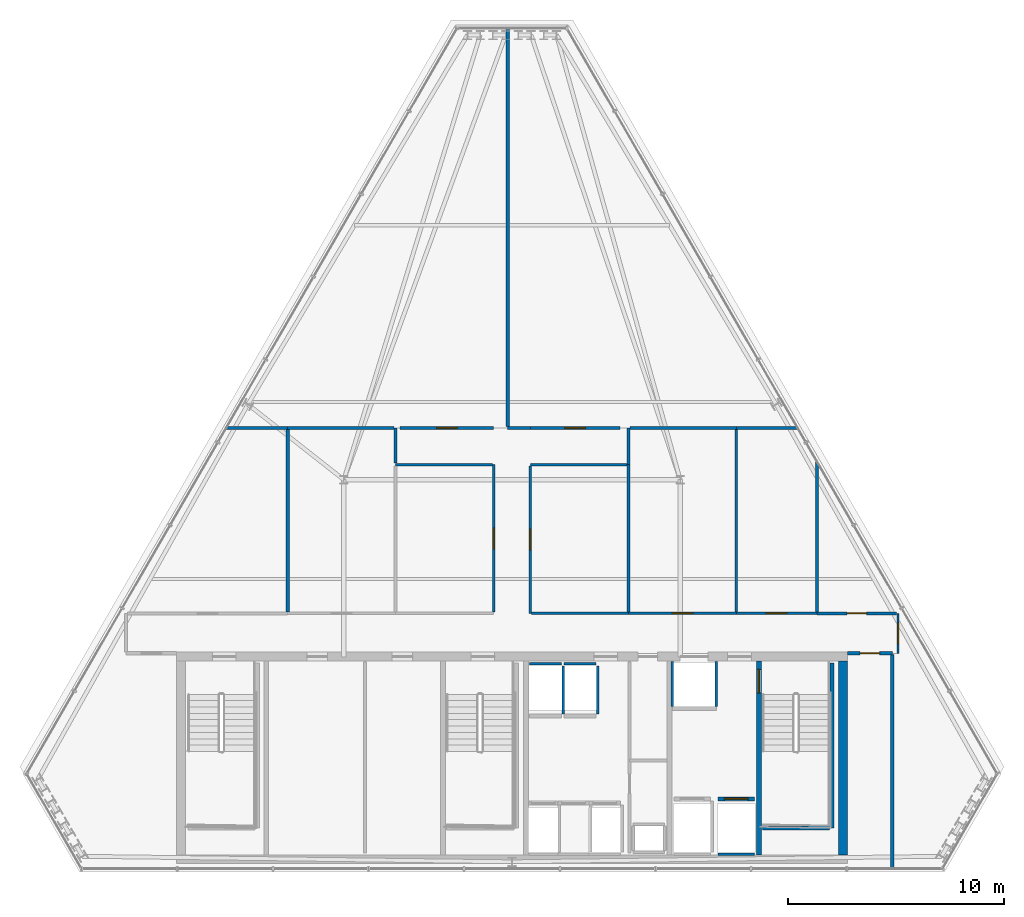
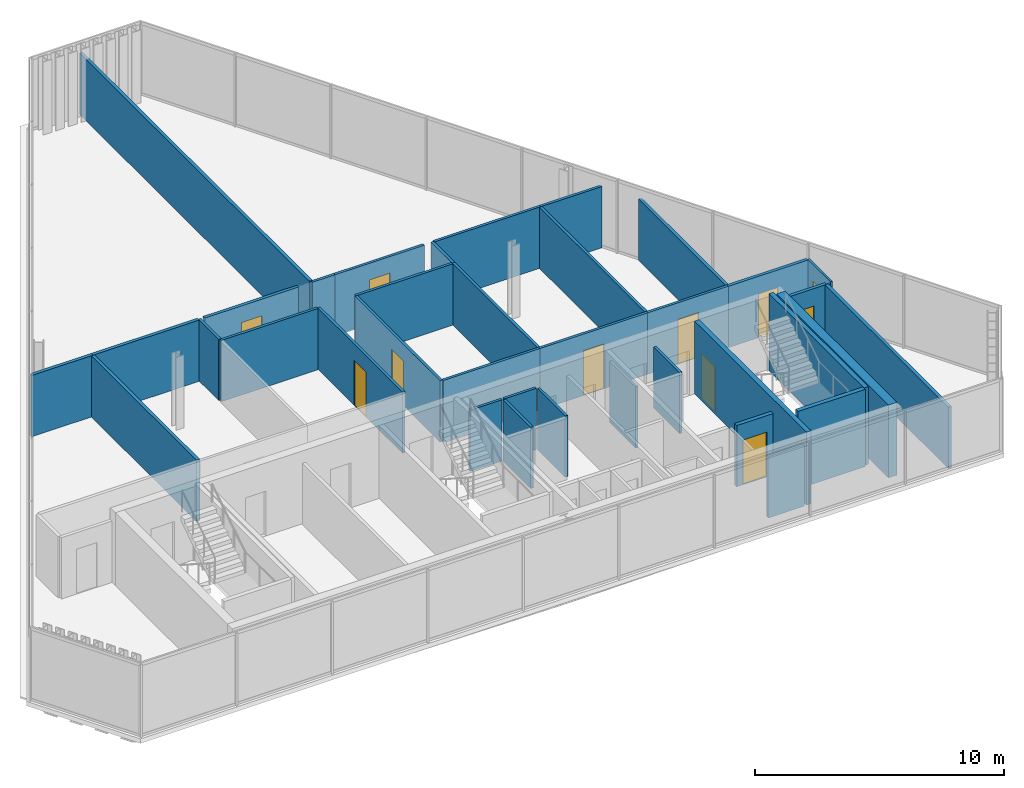
# One storey, part 31 of 35: 37 walls, 11 doors, 11 openings.
"""IFC4 building model written with IfcOpenShell, lengths in metres."""

from ifc_helpers import new_model, si_unit, direction, frame, frame_2d, origin, place, context, subcontext, project, spatial, rectangle, extrude, material, layer, layer_set, type_object, element, fill, save


model = new_model("IFC4")

# Units and contexts
model_context = context("Model", 3, precision=1e-05, world=origin(), true_north=direction((0.0, 1.0)))
body_context = subcontext(model_context, "Body", "Model", "MODEL_VIEW")
ifc_project = project(units=[si_unit("LENGTHUNIT", "METRE"), si_unit("AREAUNIT", "SQUARE_METRE"), si_unit("VOLUMEUNIT", "CUBIC_METRE"), si_unit("PLANEANGLEUNIT", "RADIAN"), si_unit("MASSUNIT", "GRAM", prefix="KILO")], contexts=[model_context])

# Site, building, storey
site_placement = place(None, origin())
site = spatial("IfcSite", under=ifc_project, at=site_placement, CompositionType="ELEMENT")
building_placement = place(site_placement, origin())
building = spatial("IfcBuilding", under=site, at=building_placement, Name="Ndaravel Arena Tower", CompositionType="ELEMENT")
storey_placement = place(building_placement, frame((0.0, 0.0, 271.199951171875)))
storey = spatial("IfcBuildingStorey", under=building, at=storey_placement, Name="L66", CompositionType="ELEMENT", Elevation=271.199951171875)

# Wall, opening, door
ifc_material_1 = material(Name="Concrete C50/60", Category="concrete")
ifc_layer_1 = layer(ifc_material_1, 0.219970703125)
ifc_layer_set_1 = layer_set([ifc_layer_1], Name="Concrete C50/60")
wall_type_1 = type_object("IfcWallType", Name="WALL-CORE-220", PredefinedType="SOLIDWALL", material=ifc_layer_set_1)
wall_1_placement = place(storey_placement, frame((53.449951171875, 5.800048828125, 0.0), z_axis=(0.0, 0.0, 1.0), x_axis=(0.0, 1.0, 0.0)))
wall_1 = element("IfcWall", 1, at=wall_1_placement, inside=storey, type_object=wall_type_1, Name="L66 Core Web Shear Wall 5", PredefinedType="SOLIDWALL", context=body_context, shape_type="SweptSolid", body=[
    extrude(rectangle(XDim=9.0, YDim=0.219970703125, at=frame_2d((4.5, 0.0))), origin(), (0.0, 0.0, 1.0), 3.580078125),
])
opening_1_placement = place(wall_1_placement, frame((7.5, 0.0, 0.0)))
opening_1 = element("IfcOpeningElement", 2, at=opening_1_placement, cuts=wall_1, Name="Opening FD-01", PredefinedType="OPENING", context=body_context, shape_type="SweptSolid", body=[
    extrude(rectangle(XDim=1.10009765625, YDim=2.199951171875, at=frame_2d((0.550048828125, 1.10009765625))), frame((0.0, 0.10986328125, 0.0), z_axis=(0.0, -1.0, 0.0), x_axis=(1.0, 0.0, 0.0)), (0.0, 0.0, 1.0), 0.219970703125),
])
ifc_material_2 = material(Name="Steel S355", Category="steel")
door_type_1 = type_object("IfcDoorType", Name="DT-01-STAIR-1100", OperationType="SINGLE_SWING_LEFT", PredefinedType="DOOR", material=ifc_material_2)
door_1_placement = place(opening_1_placement, origin())
door_1 = element("IfcDoor", 3, at=door_1_placement, inside=storey, type_object=door_type_1, Name="L66 Firefighting Lobby to ST-3 Door", OperationType="SINGLE_SWING_LEFT", OverallHeight=2.199951171875, OverallWidth=1.10009765625, PredefinedType="DOOR", context=body_context, shape_type="SweptSolid", body=[
    extrude(rectangle(XDim=1.10009765625, YDim=2.199951171875, at=frame_2d((0.550048828125, 1.10009765625))), frame((0.0, 0.02490234375, 0.0), z_axis=(0.0, -1.0, 0.0), x_axis=(1.0, 0.0, 0.0)), (0.0, 0.0, 1.0), 0.050048828125),
])
fill(opening_1, door_1)

# Wall
ifc_material_3 = material(Name="Concrete C50/60", Category="concrete")
ifc_layer_2 = layer(ifc_material_3, 0.39990234375)
ifc_layer_set_2 = layer_set([ifc_layer_2], Name="Concrete C50/60")
wall_type_2 = type_object("IfcWallType", Name="WALL-CORE-400", PredefinedType="SOLIDWALL", material=ifc_layer_set_2)
wall_2_placement = place(storey_placement, frame((57.35009765625, 5.800048828125, 0.0), z_axis=(0.0, 0.0, 1.0), x_axis=(0.0, 1.0, 0.0)))
element("IfcWall", 4, at=wall_2_placement, inside=storey, type_object=wall_type_2, Name="L66 Core East Shear Wall", PredefinedType="SOLIDWALL", context=body_context, shape_type="SweptSolid", body=[
    extrude(rectangle(XDim=9.0, YDim=0.39990234375, at=frame_2d((4.5, 0.0))), origin(), (0.0, 0.0, 1.0), 3.580078125),
])

# Wall, opening, door
ifc_material_4 = material(Name="Timber", Category="wood")
ifc_layer_3 = layer(ifc_material_4, 0.10009765625)
ifc_layer_set_3 = layer_set([ifc_layer_3], Name="Timber")
wall_type_3 = type_object("IfcWallType", Name="WALL-MOVABLE-100", PredefinedType="MOVABLE", material=ifc_layer_set_3)
wall_3_placement = place(storey_placement, frame((59.903076171875, 17.0, 0.0), z_axis=(0.0, 0.0, 1.0), x_axis=(0.0, -1.0, 0.0)))
wall_3 = element("IfcWall", 5, at=wall_3_placement, inside=storey, type_object=wall_type_3, Name="L66 Interior Partition 001", PredefinedType="MOVABLE", context=body_context, shape_type="SweptSolid", body=[
    extrude(rectangle(XDim=1.85009765625, YDim=0.10009765625, at=frame_2d((0.925048828125, 0.0))), origin(), (0.0, 0.0, 1.0), 3.010498046875),
])
opening_2_placement = place(wall_3_placement, frame((0.449951171875, 0.0, 0.0)))
opening_2 = element("IfcOpeningElement", 6, at=opening_2_placement, cuts=wall_3, Name="Opening ID-01", PredefinedType="OPENING", context=body_context, shape_type="SweptSolid", body=[
    extrude(rectangle(XDim=0.949951171875, YDim=2.199951171875, at=frame_2d((0.47509765625, 1.10009765625))), frame((0.0, 0.050048828125, 0.0), z_axis=(0.0, -1.0, 0.0), x_axis=(1.0, 0.0, 0.0)), (0.0, 0.0, 1.0), 0.10009765625),
])
ifc_material_5 = material(Name="Timber", Category="wood")
door_type_2 = type_object("IfcDoorType", Name="DT-03-OFFICE-950", OperationType="SINGLE_SWING_LEFT", PredefinedType="DOOR", material=ifc_material_5)
door_2_placement = place(opening_2_placement, origin())
door_2 = element("IfcDoor", 7, at=door_2_placement, inside=storey, type_object=door_type_2, Name="L66 Design Bookshop Boutique Door", OperationType="SINGLE_SWING_LEFT", OverallHeight=2.199951171875, OverallWidth=0.949951171875, PredefinedType="DOOR", context=body_context, shape_type="SweptSolid", body=[
    extrude(rectangle(XDim=0.949951171875, YDim=2.199951171875, at=frame_2d((0.47509765625, 1.10009765625))), frame((0.0, 0.02490234375, 0.0), z_axis=(0.0, -1.0, 0.0), x_axis=(1.0, 0.0, 0.0)), (0.0, 0.0, 1.0), 0.050048828125),
])
fill(opening_2, door_2)

ifc_material_6 = material(Name="Gypsum", Category="gypsum")
ifc_layer_4 = layer(ifc_material_6, 0.125)
ifc_layer_set_4 = layer_set([ifc_layer_4], Name="Gypsum")
wall_type_4 = type_object("IfcWallType", Name="WALL-PART-125", PredefinedType="PARTITIONING", material=ifc_layer_set_4)
wall_4_placement = place(storey_placement, frame((41.14990234375, 17.06494140625, 0.0), z_axis=(0.0, 0.0, 1.0), x_axis=(0.0, 1.0, 0.0)))
wall_4 = element("IfcWall", 8, at=wall_4_placement, inside=storey, type_object=wall_type_4, Name="L66 Interior Partition 008", PredefinedType="PARTITIONING", context=body_context, shape_type="SweptSolid", body=[
    extrude(rectangle(XDim=6.8349609375, YDim=0.125, at=frame_2d((3.41748046875, 0.0))), origin(), (0.0, 0.0, 1.0), 3.010498046875),
])
opening_3_placement = place(wall_4_placement, frame((2.9423828125, 0.0, 0.0)))
opening_3 = element("IfcOpeningElement", 9, at=opening_3_placement, cuts=wall_4, Name="Opening ID-01", PredefinedType="OPENING", context=body_context, shape_type="SweptSolid", body=[
    extrude(rectangle(XDim=0.949951171875, YDim=2.199951171875, at=frame_2d((0.47509765625, 1.10009765625))), frame((0.0, 0.0625, 0.0), z_axis=(0.0, -1.0, 0.0), x_axis=(1.0, 0.0, 0.0)), (0.0, 0.0, 1.0), 0.125),
])
door_3_placement = place(opening_3_placement, origin())
door_3 = element("IfcDoor", 10, at=door_3_placement, inside=storey, type_object=door_type_2, Name="L66 Quiet Reading Library Door", OperationType="SINGLE_SWING_LEFT", OverallHeight=2.199951171875, OverallWidth=0.949951171875, PredefinedType="DOOR", context=body_context, shape_type="SweptSolid", body=[
    extrude(rectangle(XDim=0.949951171875, YDim=2.199951171875, at=frame_2d((0.47509765625, 1.10009765625))), frame((0.0, 0.02490234375, 0.0), z_axis=(0.0, -1.0, 0.0), x_axis=(1.0, 0.0, 0.0)), (0.0, 0.0, 1.0), 0.050048828125),
])
fill(opening_3, door_3)

# Walls
wall_5_placement = place(storey_placement, frame((41.0849609375, 23.89990234375, 0.0), z_axis=(0.0, 0.0, 1.0), x_axis=(-1.0, 0.0, 0.0)))
element("IfcWall", 11, at=wall_5_placement, inside=storey, type_object=wall_type_4, Name="L66 Interior Partition 009", PredefinedType="PARTITIONING", context=body_context, shape_type="SweptSolid", body=[
    extrude(rectangle(XDim=4.48486328125, YDim=0.125, at=frame_2d((2.242431640625, 0.0))), origin(), (0.0, 0.0, 1.0), 3.010498046875),
])
wall_6_placement = place(storey_placement, frame((36.60009765625, 23.965087890625, 0.0), z_axis=(0.0, 0.0, 1.0), x_axis=(0.0, 1.0, 0.0)))
element("IfcWall", 12, at=wall_6_placement, inside=storey, type_object=wall_type_4, Name="L66 Interior Partition 010", PredefinedType="PARTITIONING", context=body_context, shape_type="SweptSolid", body=[
    extrude(rectangle(XDim=1.635009765625, YDim=0.125, at=frame_2d((0.8173828125, 0.0))), origin(), (0.0, 0.0, 1.0), 3.010498046875),
])
wall_7_placement = place(storey_placement, frame((41.800048828125, 25.60009765625, 0.0), z_axis=(0.0, 0.0, 1.0), x_axis=(1.0, 0.0, 0.0)))
element("IfcWall", 13, at=wall_7_placement, inside=storey, type_object=wall_type_4, Name="L66 Interior Partition 012", PredefinedType="PARTITIONING", context=body_context, shape_type="SweptSolid", body=[
    extrude(rectangle(XDim=1.050048828125, YDim=0.125, at=frame_2d((0.52490234375, 0.0))), origin(), (0.0, 0.0, 1.0), 3.010498046875),
])

# Wall, opening, door
wall_8_placement = place(storey_placement, frame((42.85009765625, 25.60009765625, 0.0), z_axis=(0.0, 0.0, 1.0), x_axis=(1.0, 0.0, 0.0)))
wall_8 = element("IfcWall", 14, at=wall_8_placement, inside=storey, type_object=wall_type_4, Name="L66 Interior Partition 013", PredefinedType="PARTITIONING", context=body_context, shape_type="SweptSolid", body=[
    extrude(rectangle(XDim=4.14990234375, YDim=0.125, at=frame_2d((2.074951171875, 0.0))), origin(), (0.0, 0.0, 1.0), 3.010498046875),
])
opening_4_placement = place(wall_8_placement, frame((1.60009765625, 0.0, 0.0)))
opening_4 = element("IfcOpeningElement", 15, at=opening_4_placement, cuts=wall_8, Name="Opening ID-01", PredefinedType="OPENING", context=body_context, shape_type="SweptSolid", body=[
    extrude(rectangle(XDim=0.949951171875, YDim=2.199951171875, at=frame_2d((0.47509765625, 1.10009765625))), frame((0.0, 0.0625, 0.0), z_axis=(0.0, -1.0, 0.0), x_axis=(1.0, 0.0, 0.0)), (0.0, 0.0, 1.0), 0.125),
])
door_4_placement = place(opening_4_placement, origin())
door_4 = element("IfcDoor", 16, at=door_4_placement, inside=storey, type_object=door_type_2, Name="L66 Publication Shop 4 Door", OperationType="SINGLE_SWING_RIGHT", OverallHeight=2.199951171875, OverallWidth=0.949951171875, PredefinedType="DOOR", context=body_context, shape_type="SweptSolid", body=[
    extrude(rectangle(XDim=0.949951171875, YDim=2.199951171875, at=frame_2d((0.47509765625, 1.10009765625))), frame((0.0, 0.02490234375, 0.0), z_axis=(0.0, -1.0, 0.0), x_axis=(1.0, 0.0, 0.0)), (0.0, 0.0, 1.0), 0.050048828125),
])
fill(opening_4, door_4)

# Walls
wall_9_placement = place(storey_placement, frame((47.39990234375, 25.60009765625, 0.0), z_axis=(0.0, 0.0, 1.0), x_axis=(0.0, -1.0, 0.0)))
element("IfcWall", 17, at=wall_9_placement, inside=storey, type_object=wall_type_4, Name="L66 Interior Partition 014", PredefinedType="PARTITIONING", context=body_context, shape_type="SweptSolid", body=[
    extrude(rectangle(XDim=1.7001953125, YDim=0.125, at=frame_2d((0.85009765625, 0.0))), origin(), (0.0, 0.0, 1.0), 3.010498046875),
])
wall_10_placement = place(storey_placement, frame((47.3349609375, 23.89990234375, 0.0), z_axis=(0.0, 0.0, 1.0), x_axis=(-1.0, 0.0, 0.0)))
element("IfcWall", 18, at=wall_10_placement, inside=storey, type_object=wall_type_4, Name="L66 Interior Partition 015", PredefinedType="PARTITIONING", context=body_context, shape_type="SweptSolid", body=[
    extrude(rectangle(XDim=4.48486328125, YDim=0.125, at=frame_2d((2.242431640625, 0.0))), origin(), (0.0, 0.0, 1.0), 3.010498046875),
])

# Wall, opening, door
wall_11_placement = place(storey_placement, frame((42.85009765625, 23.8349609375, 0.0), z_axis=(0.0, 0.0, 1.0), x_axis=(0.0, -1.0, 0.0)))
wall_11 = element("IfcWall", 19, at=wall_11_placement, inside=storey, type_object=wall_type_4, Name="L66 Interior Partition 016", PredefinedType="PARTITIONING", context=body_context, shape_type="SweptSolid", body=[
    extrude(rectangle(XDim=6.8349609375, YDim=0.125, at=frame_2d((3.41748046875, 0.0))), origin(), (0.0, 0.0, 1.0), 3.010498046875),
])
opening_5_placement = place(wall_11_placement, frame((2.9423828125, 0.0, 0.0)))
opening_5 = element("IfcOpeningElement", 20, at=opening_5_placement, cuts=wall_11, Name="Opening ID-01", PredefinedType="OPENING", context=body_context, shape_type="SweptSolid", body=[
    extrude(rectangle(XDim=0.949951171875, YDim=2.199951171875, at=frame_2d((0.47509765625, 1.10009765625))), frame((0.0, 0.0625, 0.0), z_axis=(0.0, -1.0, 0.0), x_axis=(1.0, 0.0, 0.0)), (0.0, 0.0, 1.0), 0.125),
])
door_5_placement = place(opening_5_placement, origin())
door_5 = element("IfcDoor", 21, at=door_5_placement, inside=storey, type_object=door_type_2, Name="L66 Floor Security Control Room Door", OperationType="SINGLE_SWING_RIGHT", OverallHeight=2.199951171875, OverallWidth=0.949951171875, PredefinedType="DOOR", context=body_context, shape_type="SweptSolid", body=[
    extrude(rectangle(XDim=0.949951171875, YDim=2.199951171875, at=frame_2d((0.47509765625, 1.10009765625))), frame((0.0, 0.02490234375, 0.0), z_axis=(0.0, -1.0, 0.0), x_axis=(1.0, 0.0, 0.0)), (0.0, 0.0, 1.0), 0.050048828125),
])
fill(opening_5, door_5)

# Wall
wall_12_placement = place(storey_placement, frame((42.9150390625, 17.0, 0.0), z_axis=(0.0, 0.0, 1.0), x_axis=(1.0, 0.0, 0.0)))
element("IfcWall", 22, at=wall_12_placement, inside=storey, type_object=wall_type_4, Name="L66 Interior Partition 017", PredefinedType="PARTITIONING", context=body_context, shape_type="SweptSolid", body=[
    extrude(rectangle(XDim=4.48486328125, YDim=0.125, at=frame_2d((2.242431640625, 0.0))), origin(), (0.0, 0.0, 1.0), 3.010498046875),
])

# Wall, opening, door
wall_13_placement = place(storey_placement, frame((47.39990234375, 17.0, 0.0), z_axis=(0.0, 0.0, 1.0), x_axis=(1.0, 0.0, 0.0)))
wall_13 = element("IfcWall", 23, at=wall_13_placement, inside=storey, type_object=wall_type_4, Name="L66 Interior Partition 018", PredefinedType="PARTITIONING", context=body_context, shape_type="SweptSolid", body=[
    extrude(rectangle(XDim=5.0, YDim=0.125, at=frame_2d((2.5, 0.0))), origin(), (0.0, 0.0, 1.0), 3.010498046875),
])
opening_6_placement = place(wall_13_placement, frame((2.02490234375, 0.0, 0.0)))
opening_6 = element("IfcOpeningElement", 24, at=opening_6_placement, cuts=wall_13, Name="Opening ID-01", PredefinedType="OPENING", context=body_context, shape_type="SweptSolid", body=[
    extrude(rectangle(XDim=0.949951171875, YDim=2.199951171875, at=frame_2d((0.47509765625, 1.10009765625))), frame((0.0, 0.0625, 0.0), z_axis=(0.0, -1.0, 0.0), x_axis=(1.0, 0.0, 0.0)), (0.0, 0.0, 1.0), 0.125),
])
door_6_placement = place(opening_6_placement, origin())
door_6 = element("IfcDoor", 25, at=door_6_placement, inside=storey, type_object=door_type_2, Name="L66 Innovation Showroom 3 Door", OperationType="SINGLE_SWING_RIGHT", OverallHeight=2.199951171875, OverallWidth=0.949951171875, PredefinedType="DOOR", context=body_context, shape_type="SweptSolid", body=[
    extrude(rectangle(XDim=0.949951171875, YDim=2.199951171875, at=frame_2d((0.47509765625, 1.10009765625))), frame((0.0, 0.02490234375, 0.0), z_axis=(0.0, -1.0, 0.0), x_axis=(1.0, 0.0, 0.0)), (0.0, 0.0, 1.0), 0.050048828125),
])
fill(opening_6, door_6)

wall_14_placement = place(storey_placement, frame((52.39990234375, 17.0, 0.0), z_axis=(0.0, 0.0, 1.0), x_axis=(1.0, 0.0, 0.0)))
wall_14 = element("IfcWall", 26, at=wall_14_placement, inside=storey, type_object=wall_type_4, Name="L66 Interior Partition 019", PredefinedType="PARTITIONING", context=body_context, shape_type="SweptSolid", body=[
    extrude(rectangle(XDim=3.750244140625, YDim=0.125, at=frame_2d((1.875, 0.0))), origin(), (0.0, 0.0, 1.0), 3.010498046875),
])
opening_7_placement = place(wall_14_placement, frame((1.400146484375, 0.0, 0.0)))
opening_7 = element("IfcOpeningElement", 27, at=opening_7_placement, cuts=wall_14, Name="Opening ID-01", PredefinedType="OPENING", context=body_context, shape_type="SweptSolid", body=[
    extrude(rectangle(XDim=0.949951171875, YDim=2.199951171875, at=frame_2d((0.47509765625, 1.10009765625))), frame((0.0, 0.0625, 0.0), z_axis=(0.0, -1.0, 0.0), x_axis=(1.0, 0.0, 0.0)), (0.0, 0.0, 1.0), 0.125),
])
door_7_placement = place(opening_7_placement, origin())
door_7 = element("IfcDoor", 28, at=door_7_placement, inside=storey, type_object=door_type_2, Name="L66 Barista Galley 3 Door", OperationType="SINGLE_SWING_RIGHT", OverallHeight=2.199951171875, OverallWidth=0.949951171875, PredefinedType="DOOR", context=body_context, shape_type="SweptSolid", body=[
    extrude(rectangle(XDim=0.949951171875, YDim=2.199951171875, at=frame_2d((0.47509765625, 1.10009765625))), frame((0.0, 0.02490234375, 0.0), z_axis=(0.0, -1.0, 0.0), x_axis=(1.0, 0.0, 0.0)), (0.0, 0.0, 1.0), 0.050048828125),
])
fill(opening_7, door_7)

# Walls
wall_15_placement = place(storey_placement, frame((47.39990234375, 23.89990234375, 0.0), z_axis=(0.0, 0.0, 1.0), x_axis=(0.0, -1.0, 0.0)))
element("IfcWall", 29, at=wall_15_placement, inside=storey, type_object=wall_type_4, Name="L66 Interior Partition 024", PredefinedType="PARTITIONING", context=body_context, shape_type="SweptSolid", body=[
    extrude(rectangle(XDim=6.8349609375, YDim=0.125, at=frame_2d((3.41748046875, 0.0))), origin(), (0.0, 0.0, 1.0), 3.010498046875),
])
wall_16_placement = place(storey_placement, frame((52.39990234375, 25.60009765625, 0.0), z_axis=(0.0, 0.0, 1.0), x_axis=(1.0, 0.0, 0.0)))
element("IfcWall", 30, at=wall_16_placement, inside=storey, type_object=wall_type_4, Name="L66 Interior Partition 027", PredefinedType="PARTITIONING", context=body_context, shape_type="SweptSolid", body=[
    extrude(rectangle(XDim=2.847900390625, YDim=0.125, at=frame_2d((1.423828125, 0.0))), origin(), (0.0, 0.0, 1.0), 3.010498046875),
])
wall_17_placement = place(storey_placement, frame((52.39990234375, 17.06494140625, 0.0), z_axis=(0.0, 0.0, 1.0), x_axis=(0.0, 1.0, 0.0)))
element("IfcWall", 31, at=wall_17_placement, inside=storey, type_object=wall_type_4, Name="L66 Interior Partition 028", PredefinedType="PARTITIONING", context=body_context, shape_type="SweptSolid", body=[
    extrude(rectangle(XDim=8.469970703125, YDim=0.125, at=frame_2d((4.23486328125, 0.0))), origin(), (0.0, 0.0, 1.0), 3.010498046875),
])
wall_18_placement = place(storey_placement, frame((47.465087890625, 25.60009765625, 0.0), z_axis=(0.0, 0.0, 1.0), x_axis=(1.0, 0.0, 0.0)))
element("IfcWall", 32, at=wall_18_placement, inside=storey, type_object=wall_type_4, Name="L66 Interior Partition 030", PredefinedType="PARTITIONING", context=body_context, shape_type="SweptSolid", body=[
    extrude(rectangle(XDim=4.934814453125, YDim=0.125, at=frame_2d((2.46728515625, 0.0))), origin(), (0.0, 0.0, 1.0), 3.010498046875),
])
ifc_material_7 = material(Name="Concrete C40/50", Category="concrete")
ifc_layer_5 = layer(ifc_material_7, 0.1201171875)
ifc_layer_set_5 = layer_set([ifc_layer_5], Name="Concrete C40/50")
wall_type_5 = type_object("IfcWallType", Name="WALL-SHAFT-120", PredefinedType="SOLIDWALL", material=ifc_layer_set_5)
wall_19_placement = place(storey_placement, frame((42.804931640625, 14.659912109375, 0.0), z_axis=(0.0, 0.0, 1.0), x_axis=(1.0, 0.0, 0.0)))
element("IfcWall", 33, at=wall_19_placement, inside=storey, type_object=wall_type_5, Name="L66 PL-OBS1 Shaft Rear Wall", PredefinedType="SOLIDWALL", context=body_context, shape_type="SweptSolid", body=[
    extrude(rectangle(XDim=1.489990234375, YDim=0.1201171875, at=frame_2d((0.7451171875, 0.0))), origin(), (0.0, 0.0, 1.0), 3.010498046875),
])
wall_20_placement = place(storey_placement, frame((44.375, 12.340087890625, 0.0), z_axis=(0.0, 0.0, 1.0), x_axis=(0.0, 1.0, 0.0)))
element("IfcWall", 34, at=wall_20_placement, inside=storey, type_object=wall_type_5, Name="L66 PL-OBS1 Shaft Side R Wall", PredefinedType="SOLIDWALL", context=body_context, shape_type="SweptSolid", body=[
    extrude(rectangle(XDim=2.22998046875, YDim=0.1201171875, at=frame_2d((1.114990234375, 0.0))), origin(), (0.0, 0.0, 1.0), 3.010498046875),
])
wall_21_placement = place(storey_placement, frame((44.405029296875, 14.659912109375, 0.0), z_axis=(0.0, 0.0, 1.0), x_axis=(1.0, 0.0, 0.0)))
element("IfcWall", 35, at=wall_21_placement, inside=storey, type_object=wall_type_5, Name="L66 PL-OBS2 Shaft Rear Wall", PredefinedType="SOLIDWALL", context=body_context, shape_type="SweptSolid", body=[
    extrude(rectangle(XDim=1.489990234375, YDim=0.1201171875, at=frame_2d((0.7451171875, 0.0))), origin(), (0.0, 0.0, 1.0), 3.010498046875),
])
wall_22_placement = place(storey_placement, frame((45.97509765625, 12.340087890625, 0.0), z_axis=(0.0, 0.0, 1.0), x_axis=(0.0, 1.0, 0.0)))
element("IfcWall", 36, at=wall_22_placement, inside=storey, type_object=wall_type_5, Name="L66 PL-OBS2 Shaft Side R Wall", PredefinedType="SOLIDWALL", context=body_context, shape_type="SweptSolid", body=[
    extrude(rectangle(XDim=2.22998046875, YDim=0.1201171875, at=frame_2d((1.114990234375, 0.0))), origin(), (0.0, 0.0, 1.0), 3.010498046875),
])
wall_23_placement = place(storey_placement, frame((51.554931640625, 5.840087890625, 0.0), z_axis=(0.0, 0.0, 1.0), x_axis=(1.0, 0.0, 0.0)))
element("IfcWall", 37, at=wall_23_placement, inside=storey, type_object=wall_type_5, Name="L66 FFL-2 Shaft Rear Wall", PredefinedType="SOLIDWALL", context=body_context, shape_type="SweptSolid", body=[
    extrude(rectangle(XDim=1.690185546875, YDim=0.1201171875, at=frame_2d((0.84521484375, 0.0))), origin(), (0.0, 0.0, 1.0), 3.010498046875),
])
for number, where, z_axis, x_axis, name in (
    (38, (49.43994140625, 12.68994140625, 0.0), (0.0, 0.0, 1.0), (0.0, 1.0, 0.0), "L66 SVL-1 Shaft W Wall"),
    (39, (51.47998046875, 12.68994140625, 0.0), (0.0, 0.0, 1.0), (0.0, 1.0, 0.0), "L66 SVL-1 Shaft E Wall"),
):
    element("IfcWall", number, at=place(storey_placement, frame(where, z_axis=z_axis, x_axis=x_axis)), inside=storey, type_object=wall_type_5, Name=name, PredefinedType="SOLIDWALL", context=body_context, shape_type="SweptSolid", body=[
        extrude(rectangle(XDim=2.070068359375, YDim=0.1201171875, at=frame_2d((1.03515625, 0.0))), origin(), (0.0, 0.0, 1.0), 3.010498046875),
    ])
ifc_material_8 = material(Name="Concrete C40/50", Category="concrete")
ifc_layer_6 = layer(ifc_material_8, 0.199951171875)
ifc_layer_set_6 = layer_set([ifc_layer_6], Name="Concrete C40/50")
wall_type_6 = type_object("IfcWallType", Name="WALL-SHAFT-200", PredefinedType="SOLIDWALL", material=ifc_layer_set_6)
wall_24_placement = place(storey_placement, frame((56.840087890625, 14.699951171875, 0.0), z_axis=(0.0, 0.0, 1.0), x_axis=(0.0, -1.0, 0.0)))
element("IfcWall", 40, at=wall_24_placement, inside=storey, type_object=wall_type_6, Name="L66 ST-3 Structural Shaft Wall Right", PredefinedType="SOLIDWALL", context=body_context, shape_type="SweptSolid", body=[
    extrude(rectangle(XDim=7.64990234375, YDim=0.199951171875, at=frame_2d((3.824951171875, 0.0))), origin(), (0.0, 0.0, 1.0), 3.800048828125),
])
wall_25_placement = place(storey_placement, frame((53.6201171875, 7.050048828125, 0.0), z_axis=(0.0, 0.0, 1.0), x_axis=(1.0, 0.0, 0.0)))
element("IfcWall", 41, at=wall_25_placement, inside=storey, type_object=wall_type_6, Name="L66 ST-3 Structural Shaft Wall Far", PredefinedType="SOLIDWALL", context=body_context, shape_type="SweptSolid", body=[
    extrude(rectangle(XDim=3.114990234375, YDim=0.199951171875, at=frame_2d((1.5576171875, 0.0))), origin(), (0.0, 0.0, 1.0), 3.800048828125),
])

# Wall, opening, door
wall_26_placement = place(storey_placement, frame((51.554931640625, 8.39990234375, 0.0), z_axis=(0.0, 0.0, 1.0), x_axis=(1.0, 0.0, 0.0)))
wall_26 = element("IfcWall", 42, at=wall_26_placement, inside=storey, type_object=wall_type_6, Name="L66 FFL-2 Shaft Landing Wall", PredefinedType="SOLIDWALL", context=body_context, shape_type="SweptSolid", body=[
    extrude(rectangle(XDim=1.690185546875, YDim=0.179931640625, at=frame_2d((0.84521484375, 0.0))), origin(), (0.0, 0.0, 1.0), 3.010498046875),
])
opening_8_placement = place(wall_26_placement, frame((0.294921875, 0.0, 0.0)))
opening_8 = element("IfcOpeningElement", 43, at=opening_8_placement, cuts=wall_26, Name="Opening LD-01", PredefinedType="OPENING", context=body_context, shape_type="SweptSolid", body=[
    extrude(rectangle(XDim=1.10009765625, YDim=2.199951171875, at=frame_2d((0.550048828125, 1.10009765625))), frame((0.0, 0.08984375, 0.0), z_axis=(0.0, -1.0, 0.0), x_axis=(1.0, 0.0, 0.0)), (0.0, 0.0, 1.0), 0.179931640625),
])
ifc_material_9 = material(Name="Steel S355", Category="steel")
door_type_3 = type_object("IfcDoorType", Name="DT-06-LIFT-1100", OperationType="SLIDING_TO_LEFT", PredefinedType="DOOR", material=ifc_material_9)
door_8_placement = place(opening_8_placement, origin())
door_8 = element("IfcDoor", 44, at=door_8_placement, inside=storey, type_object=door_type_3, Name="L66 Lift FFL-2 Sliding Landing Door", OperationType="SLIDING_TO_LEFT", OverallHeight=2.199951171875, OverallWidth=1.10009765625, PredefinedType="DOOR", context=body_context, shape_type="SweptSolid", body=[
    extrude(rectangle(XDim=1.10009765625, YDim=2.199951171875, at=frame_2d((0.550048828125, 1.10009765625))), frame((0.0, 0.02490234375, 0.0), z_axis=(0.0, -1.0, 0.0), x_axis=(1.0, 0.0, 0.0)), (0.0, 0.0, 1.0), 0.050048828125),
])
fill(opening_8, door_8)

ifc_material_10 = material(Name="Masonry", Category="masonry")
ifc_layer_7 = layer(ifc_material_10, 0.14990234375)
ifc_layer_set_7 = layer_set([ifc_layer_7], Name="Masonry")
wall_type_7 = type_object("IfcWallType", Name="WALL-WET-150", PredefinedType="PARTITIONING", material=ifc_layer_set_7)
wall_27_placement = place(storey_placement, frame((59.63623046875, 15.14990234375, 0.0), z_axis=(0.0, 0.0, 1.0), x_axis=(-1.0, 0.0, 0.0)))
wall_27 = element("IfcWall", 45, at=wall_27_placement, inside=storey, type_object=wall_type_7, Name="L66 Interior Partition 002", PredefinedType="PARTITIONING", context=body_context, shape_type="SweptSolid", body=[
    extrude(rectangle(XDim=2.086181640625, YDim=0.14990234375, at=frame_2d((1.04296875, 0.0))), origin(), (0.0, 0.0, 1.0), 3.010498046875),
])
opening_9_placement = place(wall_27_placement, frame((0.593017578125, 0.0, 0.0)))
opening_9 = element("IfcOpeningElement", 46, at=opening_9_placement, cuts=wall_27, Name="Opening WD-01", PredefinedType="OPENING", context=body_context, shape_type="SweptSolid", body=[
    extrude(rectangle(XDim=0.89990234375, YDim=2.14990234375, at=frame_2d((0.449951171875, 1.074951171875))), frame((0.0, 0.074951171875, 0.0), z_axis=(0.0, -1.0, 0.0), x_axis=(1.0, 0.0, 0.0)), (0.0, 0.0, 1.0), 0.14990234375),
])
ifc_material_11 = material(Name="Timber", Category="wood")
door_type_4 = type_object("IfcDoorType", Name="DT-05-WC-900", OperationType="SINGLE_SWING_LEFT", PredefinedType="DOOR", material=ifc_material_11)
door_9_placement = place(opening_9_placement, origin())
door_9 = element("IfcDoor", 47, at=door_9_placement, inside=storey, type_object=door_type_4, Name="L66 Male Staff & Visitor Restroom Door", OperationType="SINGLE_SWING_LEFT", OverallHeight=2.14990234375, OverallWidth=0.89990234375, PredefinedType="DOOR", context=body_context, shape_type="SweptSolid", body=[
    extrude(rectangle(XDim=0.89990234375, YDim=2.14990234375, at=frame_2d((0.449951171875, 1.074951171875))), frame((0.0, 0.02490234375, 0.0), z_axis=(0.0, -1.0, 0.0), x_axis=(1.0, 0.0, 0.0)), (0.0, 0.0, 1.0), 0.050048828125),
])
fill(opening_9, door_9)

wall_28_placement = place(storey_placement, frame((36.800048828125, 25.60009765625, 0.0), z_axis=(0.0, 0.0, 1.0), x_axis=(1.0, 0.0, 0.0)))
wall_28 = element("IfcWall", 48, at=wall_28_placement, inside=storey, type_object=wall_type_7, Name="L66 Interior Partition 011", PredefinedType="PARTITIONING", context=body_context, shape_type="SweptSolid", body=[
    extrude(rectangle(XDim=4.349853515625, YDim=0.14990234375, at=frame_2d((2.1748046875, 0.0))), origin(), (0.0, 0.0, 1.0), 3.010498046875),
])
opening_10_placement = place(wall_28_placement, frame((1.699951171875, 0.0, 0.0)))
opening_10 = element("IfcOpeningElement", 49, at=opening_10_placement, cuts=wall_28, Name="Opening FD-03", PredefinedType="OPENING", context=body_context, shape_type="SweptSolid", body=[
    extrude(rectangle(XDim=0.949951171875, YDim=2.199951171875, at=frame_2d((0.47509765625, 1.10009765625))), frame((0.0, 0.074951171875, 0.0), z_axis=(0.0, -1.0, 0.0), x_axis=(1.0, 0.0, 0.0)), (0.0, 0.0, 1.0), 0.14990234375),
])
ifc_material_12 = material(Name="Steel S355", Category="steel")
door_type_5 = type_object("IfcDoorType", Name="DT-11-CORE-950", OperationType="SINGLE_SWING_LEFT", PredefinedType="DOOR", material=ifc_material_12)
door_10_placement = place(opening_10_placement, origin())
door_10 = element("IfcDoor", 50, at=door_10_placement, inside=storey, type_object=door_type_5, Name="L66 Floor Servery Kitchen 4 Door", OperationType="SINGLE_SWING_LEFT", OverallHeight=2.199951171875, OverallWidth=0.949951171875, PredefinedType="DOOR", context=body_context, shape_type="SweptSolid", body=[
    extrude(rectangle(XDim=0.949951171875, YDim=2.199951171875, at=frame_2d((0.47509765625, 1.10009765625))), frame((0.0, 0.02490234375, 0.0), z_axis=(0.0, -1.0, 0.0), x_axis=(1.0, 0.0, 0.0)), (0.0, 0.0, 1.0), 0.050048828125),
])
fill(opening_10, door_10)

wall_29_placement = place(storey_placement, frame((56.150146484375, 17.0, 0.0), z_axis=(0.0, 0.0, 1.0), x_axis=(1.0, 0.0, 0.0)))
wall_29 = element("IfcWall", 51, at=wall_29_placement, inside=storey, type_object=wall_type_7, Name="L66 Interior Partition 020", PredefinedType="PARTITIONING", context=body_context, shape_type="SweptSolid", body=[
    extrude(rectangle(XDim=3.687744140625, YDim=0.14990234375, at=frame_2d((1.84375, 0.0))), origin(), (0.0, 0.0, 1.0), 3.010498046875),
])
opening_11_placement = place(wall_29_placement, frame((1.393798828125, 0.0, 0.0)))
opening_11 = element("IfcOpeningElement", 52, at=opening_11_placement, cuts=wall_29, Name="Opening WD-01", PredefinedType="OPENING", context=body_context, shape_type="SweptSolid", body=[
    extrude(rectangle(XDim=0.89990234375, YDim=2.14990234375, at=frame_2d((0.449951171875, 1.074951171875))), frame((0.0, 0.074951171875, 0.0), z_axis=(0.0, -1.0, 0.0), x_axis=(1.0, 0.0, 0.0)), (0.0, 0.0, 1.0), 0.14990234375),
])
door_11_placement = place(opening_11_placement, origin())
door_11 = element("IfcDoor", 53, at=door_11_placement, inside=storey, type_object=door_type_4, Name="L66 Female & Accessible Restroom Door", OperationType="SINGLE_SWING_RIGHT", OverallHeight=2.14990234375, OverallWidth=0.89990234375, PredefinedType="DOOR", context=body_context, shape_type="SweptSolid", body=[
    extrude(rectangle(XDim=0.89990234375, YDim=2.14990234375, at=frame_2d((0.449951171875, 1.074951171875))), frame((0.0, 0.02490234375, 0.0), z_axis=(0.0, -1.0, 0.0), x_axis=(1.0, 0.0, 0.0)), (0.0, 0.0, 1.0), 0.050048828125),
])
fill(opening_11, door_11)

# Walls
wall_30_placement = place(storey_placement, frame((59.63623046875, 15.0849609375, 0.0), z_axis=(0.0, 0.0, 1.0), x_axis=(0.0, -1.0, 0.0)))
element("IfcWall", 54, at=wall_30_placement, inside=storey, type_object=wall_type_7, Name="L66 Interior Partition 021", PredefinedType="PARTITIONING", context=body_context, shape_type="SweptSolid", body=[
    extrude(rectangle(XDim=9.925048828125, YDim=0.14990234375, at=frame_2d((4.96240234375, 0.0))), origin(), (0.0, 0.0, 1.0), 3.010498046875),
])
wall_31_placement = place(storey_placement, frame((56.150146484375, 17.06494140625, 0.0), z_axis=(0.0, 0.0, 1.0), x_axis=(0.0, 1.0, 0.0)))
element("IfcWall", 55, at=wall_31_placement, inside=storey, type_object=wall_type_7, Name="L66 Interior Partition 022", PredefinedType="PARTITIONING", context=body_context, shape_type="SweptSolid", body=[
    extrude(rectangle(XDim=6.971923828125, YDim=0.14990234375, at=frame_2d((3.48583984375, 0.0))), origin(), (0.0, 0.0, 1.0), 3.010498046875),
])
wall_32_placement = place(storey_placement, frame((28.752197265625, 25.60009765625, 0.0), z_axis=(0.0, 0.0, 1.0), x_axis=(1.0, 0.0, 0.0)))
element("IfcWall", 56, at=wall_32_placement, inside=storey, type_object=wall_type_7, Name="L66 Interior Partition 025", PredefinedType="PARTITIONING", context=body_context, shape_type="SweptSolid", body=[
    extrude(rectangle(XDim=2.847900390625, YDim=0.14990234375, at=frame_2d((1.423828125, 0.0))), origin(), (0.0, 0.0, 1.0), 3.010498046875),
])
wall_33_placement = place(storey_placement, frame((31.60009765625, 25.534912109375, 0.0), z_axis=(0.0, 0.0, 1.0), x_axis=(0.0, -1.0, 0.0)))
element("IfcWall", 57, at=wall_33_placement, inside=storey, type_object=wall_type_7, Name="L66 Interior Partition 026", PredefinedType="PARTITIONING", context=body_context, shape_type="SweptSolid", body=[
    extrude(rectangle(XDim=8.469970703125, YDim=0.14990234375, at=frame_2d((4.23486328125, 0.0))), origin(), (0.0, 0.0, 1.0), 3.010498046875),
])
wall_34_placement = place(storey_placement, frame((31.60009765625, 25.60009765625, 0.0), z_axis=(0.0, 0.0, 1.0), x_axis=(1.0, 0.0, 0.0)))
element("IfcWall", 58, at=wall_34_placement, inside=storey, type_object=wall_type_7, Name="L66 Interior Partition 029", PredefinedType="PARTITIONING", context=body_context, shape_type="SweptSolid", body=[
    extrude(rectangle(XDim=4.934814453125, YDim=0.14990234375, at=frame_2d((2.46728515625, 0.0))), origin(), (0.0, 0.0, 1.0), 3.010498046875),
])
wall_35_placement = place(storey_placement, frame((41.800048828125, 44.137939453125, 0.0), z_axis=(0.0, 0.0, 1.0), x_axis=(0.0, -1.0, 0.0)))
element("IfcWall", 59, at=wall_35_placement, inside=storey, type_object=wall_type_7, Name="L66 Interior Partition 031", PredefinedType="PARTITIONING", context=body_context, shape_type="SweptSolid", body=[
    extrude(rectangle(XDim=18.472900390625, YDim=0.14990234375, at=frame_2d((9.236328125, 0.0))), origin(), (0.0, 0.0, 1.0), 3.010498046875),
])

save(model, "model.ifc")
